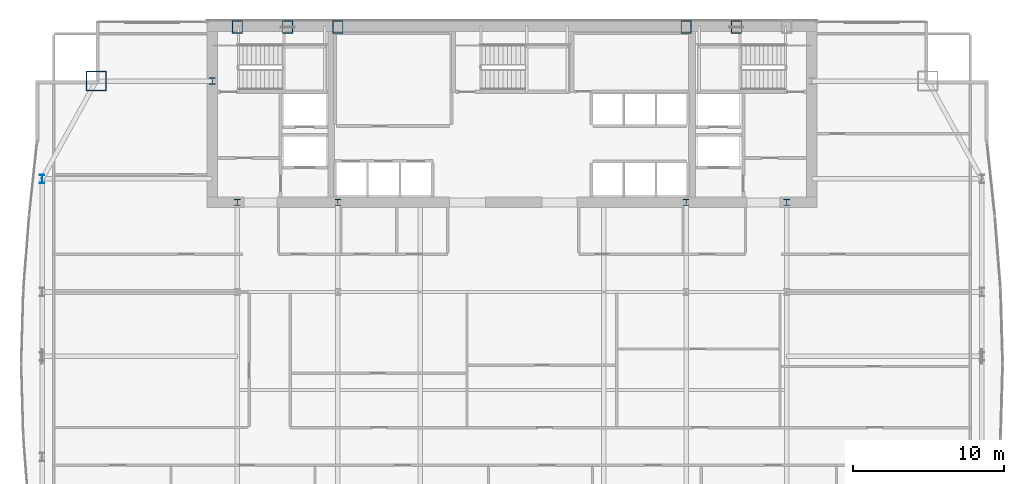
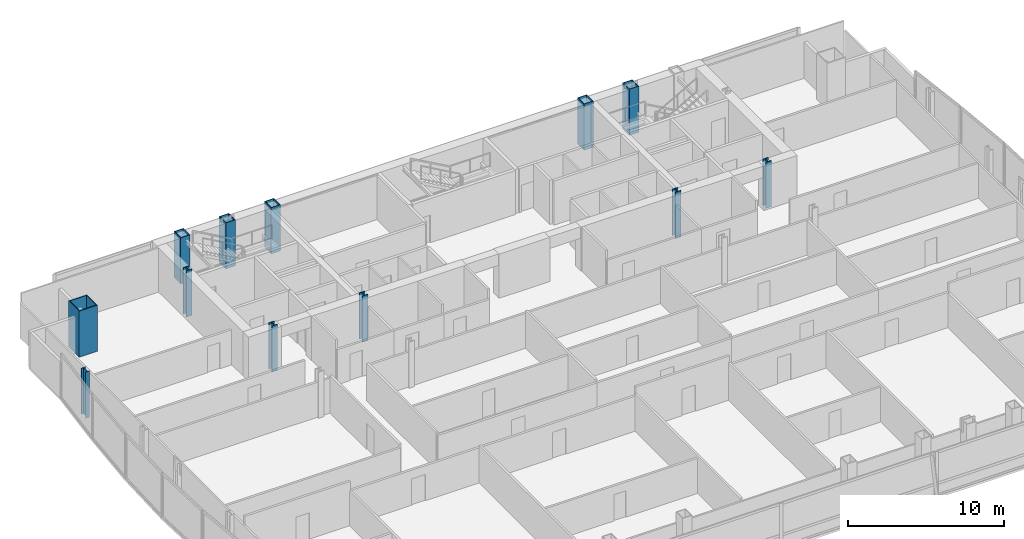
# One storey, part 3 of 29: 12 columns.
"""IFC4 building model written with IfcOpenShell, lengths in metres."""

from ifc_helpers import new_model, si_unit, direction, frame, origin, origin_2d, place, context, subcontext, project, spatial, hollow_rectangle, i_section, extrude, material, material_profile, profile_set, type_object, element, save


model = new_model("IFC4")

# Units and contexts
model_context = context("Model", 3, precision=1e-05, world=origin(), true_north=direction((0.0, 1.0)))
body_context = subcontext(model_context, "Body", "Model", "MODEL_VIEW")
ifc_project = project(units=[si_unit("LENGTHUNIT", "METRE"), si_unit("AREAUNIT", "SQUARE_METRE"), si_unit("VOLUMEUNIT", "CUBIC_METRE"), si_unit("PLANEANGLEUNIT", "RADIAN"), si_unit("MASSUNIT", "GRAM", prefix="KILO")], contexts=[model_context])

# Site, building, storey
site_placement = place(None, origin())
site = spatial("IfcSite", under=ifc_project, at=site_placement, CompositionType="ELEMENT")
building_placement = place(site_placement, origin())
building = spatial("IfcBuilding", under=site, at=building_placement, Name="Khoronbel Lancet Exchange", CompositionType="ELEMENT")
storey_placement = place(building_placement, frame((0.0, 0.0, 143.39990234375)))
storey = spatial("IfcBuildingStorey", under=building, at=storey_placement, Name="L35", CompositionType="ELEMENT", Elevation=143.39990234375)

# Columns
ifc_material_1 = material(Name="Steel S460", Category="steel")
ifc_material_profile_1 = material_profile(ifc_material_1, hollow_rectangle(XDim=0.699951171875, YDim=0.85009765625, WallThickness=0.050048828125, at=origin_2d()), Name="BOX 850x700x50")
ifc_profile_set_1 = profile_set([ifc_material_profile_1], Name="Steel S460")
column_type_1 = type_object("IfcColumnType", Name="COL-EC2", PredefinedType="COLUMN", material=ifc_profile_set_1)
for number, where, z_axis, x_axis, name in (
    (1, (18.22509765625, 53.280029296875, 0.0), (0.0, 0.0, 1.0), (1.0, 0.0, 0.0), "Structural column NC-W1 L35"),
    (2, (21.5625, 53.280029296875, 0.0), (0.0, 0.0, 1.0), (1.0, 0.0, 0.0), "Structural column NC-WM L35"),
    (3, (24.89990234375, 53.280029296875, 0.0), (0.0, 0.0, 1.0), (1.0, 0.0, 0.0), "Structural column NC-W2 L35"),
    (4, (48.0, 53.280029296875, 0.0), (0.0, 0.0, 1.0), (1.0, 0.0, 0.0), "Structural column NC-E1 L35"),
    (5, (51.33740234375, 53.280029296875, 0.0), (0.0, 0.0, 1.0), (1.0, 0.0, 0.0), "Structural column NC-EM L35"),
):
    element("IfcColumn", number, at=place(storey_placement, frame(where, z_axis=z_axis, x_axis=x_axis)), inside=storey, type_object=column_type_1, Name=name, PredefinedType="COLUMN", context=body_context, shape_type="SweptSolid", body=[
        extrude(hollow_rectangle(XDim=0.699951171875, YDim=0.85009765625, WallThickness=0.050048828125, at=origin_2d()), origin(), (0.0, 0.0, 1.0), 3.60009765625),
    ])
ifc_material_profile_2 = material_profile(ifc_material_1, i_section(OverallWidth=0.416015625, OverallDepth=0.446044921875, WebThickness=0.0390625, FlangeThickness=0.062744140625, at=origin_2d()), Name="HD 400x509")
ifc_profile_set_2 = profile_set([ifc_material_profile_2], Name="Steel S460")
column_type_2 = type_object("IfcColumnType", Name="COL-IC2", PredefinedType="COLUMN", material=ifc_profile_set_2)
for number, where, z_axis, x_axis, name in (
    (6, (16.550048828125, 49.699951171875, 0.0), (0.0, 0.0, 1.0), (1.0, 0.0, 0.0), "Core-flank plumb transfer column CFW L35"),
    (7, (18.22509765625, 41.64990234375, 0.0), (0.0, 0.0, 1.0), (1.0, 0.0, 0.0), "Core-embedded steel column CTC1 L35"),
    (8, (24.89990234375, 41.64990234375, 0.0), (0.0, 0.0, 1.0), (1.0, 0.0, 0.0), "Core-embedded steel column CTC2 L35"),
    (9, (48.0, 41.64990234375, 0.0), (0.0, 0.0, 1.0), (1.0, 0.0, 0.0), "Core-embedded steel column CTC3 L35"),
    (10, (54.675048828125, 41.64990234375, 0.0), (0.0, 0.0, 1.0), (1.0, 0.0, 0.0), "Core-embedded steel column CTC4 L35"),
):
    element("IfcColumn", number, at=place(storey_placement, frame(where, z_axis=z_axis, x_axis=x_axis)), inside=storey, type_object=column_type_2, Name=name, PredefinedType="COLUMN", context=body_context, shape_type="SweptSolid", body=[
        extrude(i_section(OverallWidth=0.416015625, OverallDepth=0.446044921875, WebThickness=0.0390625, FlangeThickness=0.062744140625, at=origin_2d()), origin(), (0.0, 0.0, 1.0), 3.60009765625),
    ])
ifc_material_2 = material(Name="Steel S355", Category="steel")
ifc_material_profile_3 = material_profile(ifc_material_2, i_section(OverallWidth=0.300048828125, OverallDepth=0.550048828125, WebThickness=0.014892578125, FlangeThickness=0.029052734375, at=origin_2d()), Name="HEB 550")
ifc_profile_set_3 = profile_set([ifc_material_profile_3], Name="Steel S355")
column_type_3 = type_object("IfcColumnType", Name="COL-LC1", PredefinedType="COLUMN", material=ifc_profile_set_3)
column_1_placement = place(storey_placement, frame((5.27001953125, 43.199951171875, 0.0), z_axis=(0.0, 0.0, 1.0), x_axis=(1.0, 0.0, 0.0)))
element("IfcColumn", 11, at=column_1_placement, inside=storey, type_object=column_type_3, Name="Structural column WC-4 L35", PredefinedType="COLUMN", context=body_context, shape_type="SweptSolid", body=[
    extrude(i_section(OverallWidth=0.300048828125, OverallDepth=0.550048828125, WebThickness=0.014892578125, FlangeThickness=0.029052734375, at=origin_2d()), origin(), (0.0, 0.0, 1.0), 3.60009765625),
])
ifc_material_profile_4 = material_profile(ifc_material_1, hollow_rectangle(XDim=1.35009765625, YDim=1.35009765625, WallThickness=0.06494140625, at=origin_2d()), Name="BOX 1350x1350x65")
ifc_profile_set_4 = profile_set([ifc_material_profile_4], Name="Steel S460")
column_type_4 = type_object("IfcColumnType", Name="COL-MC4", PredefinedType="COLUMN", material=ifc_profile_set_4)
column_2_placement = place(storey_placement, frame((8.85009765625, 49.699951171875, 0.0), z_axis=(0.0, 0.0, 1.0), x_axis=(1.0, 0.0, 0.0)))
element("IfcColumn", 12, at=column_2_placement, inside=storey, type_object=column_type_4, Name="Structural column MC-NW L35", PredefinedType="COLUMN", context=body_context, shape_type="SweptSolid", body=[
    extrude(hollow_rectangle(XDim=1.35009765625, YDim=1.35009765625, WallThickness=0.06494140625, at=origin_2d()), origin(), (0.0, 0.0, 1.0), 3.60009765625),
])

save(model, "model.ifc")
